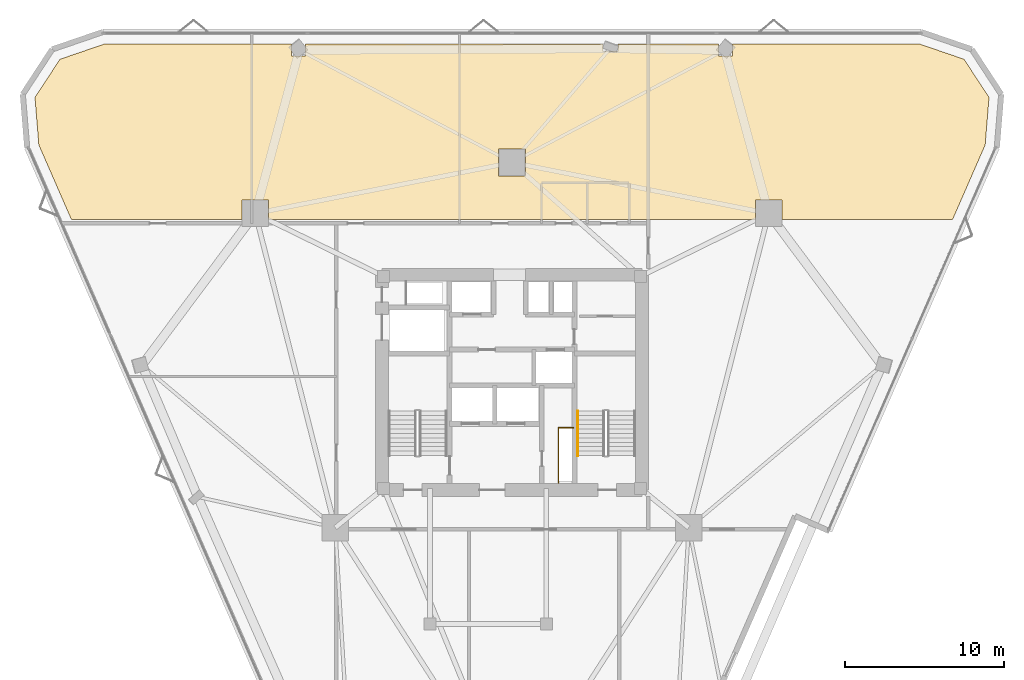
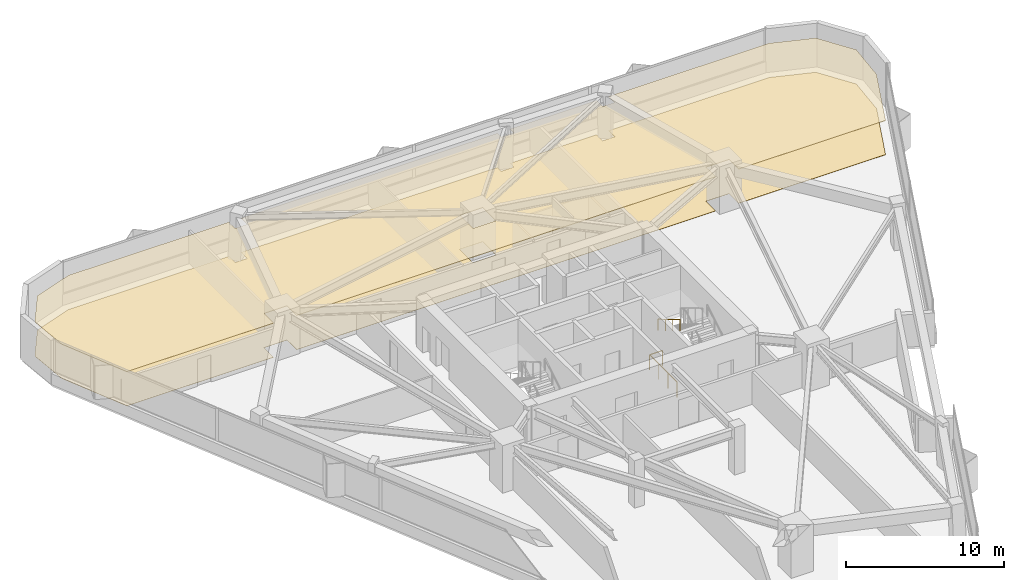
# One storey, part 14 of 15: 2 coverings, 2 railings.
"""IFC4 building model written with IfcOpenShell, lengths in metres."""

import ifcopenshell
import ifcopenshell.guid

model = None  # the IFC model being written
_history = None  # IfcOwnerHistory: only IFC2X3 demands one
_inside = {}  # id of a spatial element -> (the spatial element, [elements in it])
_under = {}  # id of a project, library or spatial element -> (it, [spatial elements below it])
_declared = {}  # id of a project -> (the project, [libraries it declares])
_typed = {}  # id of a type object -> (the type object, [elements of that type])
_made_of = {}  # id of a material, layer set ... -> (it, [elements and type objects made of it])


def new_model(schema):
    """Start an empty IFC model of exactly this schema.

    Asked for "IFC4X3", IfcOpenShell would pick the latest addendum, in which some entities
    have other attributes; the version numbers below select the first issue.
    IFC2X3 requires an IfcOwnerHistory on every rooted entity: one is made here for all.
    """
    global model, _history
    if schema == "IFC4X3":
        model = ifcopenshell.file(schema_version=(4, 3, 0, 0))
    else:
        model = ifcopenshell.file(schema=schema)
    _inside.clear()
    _under.clear()
    _declared.clear()
    _typed.clear()
    _made_of.clear()
    _history = None
    if model.schema == "IFC2X3":
        org = make("IfcOrganization", Name="unknown")
        user = make(
            "IfcPersonAndOrganization",
            ThePerson=make("IfcPerson", FamilyName="unknown"),
            TheOrganization=org,
        )
        app = make(
            "IfcApplication",
            ApplicationDeveloper=org,
            Version="unknown",
            ApplicationFullName="unknown",
            ApplicationIdentifier="unknown",
        )
        _history = make(
            "IfcOwnerHistory",
            OwningUser=user,
            OwningApplication=app,
            ChangeAction="ADDED",
            CreationDate=0,
        )
    return model


def make(cls, **values):
    """One entity of the class cls with the attributes given. An attribute that is None is left unset."""
    return model.create_entity(
        cls, **{name: value for name, value in values.items() if value is not None}
    )


def rooted(cls, **values):
    """An entity with a GlobalId (a new one), such as an element, a storey or a relation."""
    return make(cls, GlobalId=ifcopenshell.guid.new(), OwnerHistory=_history, **values)


def si_unit(unit_type, name, prefix=None):
    """IfcSIUnit, for example si_unit("LENGTHUNIT", "METRE", prefix="MILLI")."""
    return make("IfcSIUnit", UnitType=unit_type, Prefix=prefix, Name=name)


def assignment(units):
    """IfcUnitAssignment: the units of a project."""
    return None if units is None else make("IfcUnitAssignment", Units=units)


def point(xyz):
    """IfcCartesianPoint."""
    return None if xyz is None else make("IfcCartesianPoint", Coordinates=xyz)


def direction(xyz):
    """IfcDirection."""
    return None if xyz is None else make("IfcDirection", DirectionRatios=xyz)


def frame(location, z_axis=None, x_axis=None):
    """IfcAxis2Placement3D, a coordinate frame: its origin and axes. An axis left out is left unset."""
    return make(
        "IfcAxis2Placement3D",
        Location=point(location),
        Axis=direction(z_axis),
        RefDirection=direction(x_axis),
    )


def frame_2d(location, x_axis=None):
    """IfcAxis2Placement2D, a coordinate frame in the plane: its origin and x axis."""
    return make(
        "IfcAxis2Placement2D", Location=point(location), RefDirection=direction(x_axis)
    )


def origin():
    """The frame at (0, 0, 0) with its axes left unset."""
    return frame((0.0, 0.0, 0.0))


def origin_2d():
    """The frame at (0, 0) in the plane with its x axis left unset."""
    return frame_2d((0.0, 0.0))


def place(relative_to, where):
    """IfcLocalPlacement: puts the frame where relative to a parent placement (None: the world)."""
    return make(
        "IfcLocalPlacement", PlacementRelTo=relative_to, RelativePlacement=where
    )


def context(
    kind, dimensions, precision=None, world=None, true_north=None, identifier=None
):
    """IfcGeometricRepresentationContext, for example the 3D "Model" context."""
    return make(
        "IfcGeometricRepresentationContext",
        ContextIdentifier=identifier,
        ContextType=kind,
        CoordinateSpaceDimension=dimensions,
        Precision=precision,
        WorldCoordinateSystem=world,
        TrueNorth=true_north,
    )


def subcontext(parent, identifier, kind, view, scale=None):
    """IfcGeometricRepresentationSubContext, for example "Body" below "Model"."""
    return make(
        "IfcGeometricRepresentationSubContext",
        ContextIdentifier=identifier,
        ContextType=kind,
        ParentContext=parent,
        TargetScale=scale,
        TargetView=view,
    )


def project(units=None, contexts=None):
    """IfcProject with its units and contexts."""
    return rooted(
        "IfcProject",
        Name="project",
        RepresentationContexts=contexts,
        UnitsInContext=assignment(units),
    )


def spatial(cls, under=None, at=None, **own):
    """A site, building, storey or space (cls), placed at a placement, below another one or the project."""
    s = rooted(cls, ObjectPlacement=at, **own)
    if under is not None:
        _under.setdefault(under.id(), (under, []))[1].append(s)
    return s


def polyline(points):
    """IfcPolyline through the points."""
    return make("IfcPolyline", Points=[point(p) for p in points])


def profile(cls, at=None, kind="AREA", **sizes):
    """A parametric profile (cls). Its sizes go by their IFC names, for example OverallWidth=200.0."""
    return make(cls, ProfileType=kind, Position=at, **sizes)


def rectangle(**sizes):
    """IfcRectangleProfileDef."""
    return profile("IfcRectangleProfileDef", **sizes)


def outline(outer, holes=None, kind="AREA"):
    """IfcArbitraryClosedProfileDef: a profile drawn as a closed curve; with holes, ...WithVoids."""
    if holes is None:
        return make("IfcArbitraryClosedProfileDef", ProfileType=kind, OuterCurve=outer)
    return make(
        "IfcArbitraryProfileDefWithVoids",
        ProfileType=kind,
        OuterCurve=outer,
        InnerCurves=holes,
    )


def extrude(swept, where, along, depth):
    """IfcExtrudedAreaSolid: the profile swept, set in the frame where, extruded along a direction by depth."""
    return make(
        "IfcExtrudedAreaSolid",
        SweptArea=swept,
        Position=where,
        ExtrudedDirection=direction(along),
        Depth=depth,
    )


def shape(context_of_items, identifier, shape_type, items):
    """IfcShapeRepresentation: the items that make up one representation, for example the "Body"."""
    return make(
        "IfcShapeRepresentation",
        ContextOfItems=context_of_items,
        RepresentationIdentifier=identifier,
        RepresentationType=shape_type,
        Items=items,
    )


def material(Name=None, Category=None):
    """IfcMaterial."""
    return make("IfcMaterial", Name=Name, Category=Category)


def layer(
    of_material, thickness, ventilated=None, Name=None, Category=None, Priority=None
):
    """IfcMaterialLayer: one layer of a wall or slab, of a material (None: an air gap)."""
    return make(
        "IfcMaterialLayer",
        Material=of_material,
        LayerThickness=thickness,
        IsVentilated=ventilated,
        Name=Name,
        Category=Category,
        Priority=Priority,
    )


def layer_set(layers, Name=None):
    """IfcMaterialLayerSet."""
    return make("IfcMaterialLayerSet", MaterialLayers=layers, LayerSetName=Name)


def made_of(thing, what):
    """Note that an element or type object is made of a material, layer set ...; save() writes the relation."""
    if what is not None:
        _made_of.setdefault(what.id(), (what, []))[1].append(thing)
    return thing


def type_object(cls, material=None, **own):
    """A type object (cls), such as IfcWallType, which elements share."""
    return made_of(rooted(cls, **own), material)


def element(
    cls,
    number,
    at=None,
    inside=None,
    cuts=None,
    type_object=None,
    material=None,
    context=None,
    identifier="Body",
    shape_type=None,
    held_by="IfcProductDefinitionShape",
    body=None,
    shapes=None,
    **own,
):
    """One element of the class cls, such as IfcWall. Its Tag is "e" and its number.

    at: its placement. inside: the storey or other place that contains it. cuts: it is an
    opening in that element (IfcRelVoidsElement). A single representation is given by context,
    identifier, shape_type and body (its items); several are given by shapes. held_by: the class
    of the entity that holds the representations. save() writes the other relations.
    """
    e = rooted(cls, Tag="e%d" % number, ObjectPlacement=at, **own)
    if body is not None:
        shapes = [shape(context, identifier, shape_type, body)]
    if shapes is not None:
        e.Representation = make(held_by, Representations=shapes)
    if inside is not None:
        _inside.setdefault(inside.id(), (inside, []))[1].append(e)
    if cuts is not None:
        rooted(
            "IfcRelVoidsElement", RelatingBuildingElement=cuts, RelatedOpeningElement=e
        )
    if type_object is not None:
        _typed.setdefault(type_object.id(), (type_object, []))[1].append(e)
    return made_of(e, material)


def aggregate(whole, parts):
    """IfcRelAggregates: a whole, such as a stair, and the parts it consists of."""
    return rooted("IfcRelAggregates", RelatingObject=whole, RelatedObjects=parts)


def save(model, path):
    """Write the relations noted so far, then the file.

    IfcRelAggregates (storeys below a building ...), IfcRelContainedInSpatialStructure (elements
    in a storey), IfcRelDefinesByType, IfcRelAssociatesMaterial and IfcRelDeclares: one each for
    every whole, place, type object, material and project.
    """
    for whole, parts in _under.values():
        aggregate(whole, parts)
    for where, things in _inside.values():
        rooted(
            "IfcRelContainedInSpatialStructure",
            RelatedElements=things,
            RelatingStructure=where,
        )
    for kind, things in _typed.values():
        rooted("IfcRelDefinesByType", RelatedObjects=things, RelatingType=kind)
    for what, things in _made_of.values():
        rooted("IfcRelAssociatesMaterial", RelatedObjects=things, RelatingMaterial=what)
    for by, libraries in _declared.values():
        rooted("IfcRelDeclares", RelatingContext=by, RelatedDefinitions=libraries)
    model.write(path)


model = new_model("IFC4")

# Units and contexts
model_context = context("Model", 3, precision=1e-05, world=origin(), true_north=direction((0.0, 1.0)))
body_context = subcontext(model_context, "Body", "Model", "MODEL_VIEW")
ifc_project = project(units=[si_unit("LENGTHUNIT", "METRE"), si_unit("AREAUNIT", "SQUARE_METRE"), si_unit("VOLUMEUNIT", "CUBIC_METRE"), si_unit("PLANEANGLEUNIT", "RADIAN"), si_unit("MASSUNIT", "GRAM", prefix="KILO")], contexts=[model_context])

# Site, building, storey
site_placement = place(None, origin())
site = spatial("IfcSite", under=ifc_project, at=site_placement, CompositionType="ELEMENT")
building_placement = place(site_placement, origin())
building = spatial("IfcBuilding", under=site, at=building_placement, Name="Talyreon Biosciences Tower", CompositionType="ELEMENT")
storey_placement = place(building_placement, frame((0.0, 0.0, 100.550048828125)))
storey = spatial("IfcBuildingStorey", under=building, at=storey_placement, Name="L26", CompositionType="ELEMENT", Elevation=100.550048828125)

# Coverings
ifc_material_1 = material(Name="Cleanable acoustic mineral-fibre ceiling tile", Category="gypsum")
ifc_layer_1 = layer(ifc_material_1, 0.0400390625)
ifc_layer_set_1 = layer_set([ifc_layer_1], Name="Cleanable acoustic mineral-fibre ceiling tile")
covering_type_1 = type_object("IfcCoveringType", Name="AcousticCleanroomCeiling_40", PredefinedType="CEILING", material=ifc_layer_set_1)
covering_1_placement = place(storey_placement, frame((0.0, 0.0, 2.614990234375)))
element("IfcCovering", 1, at=covering_1_placement, inside=storey, type_object=covering_type_1, Name="L26 Acoustic Laboratory Ceiling", PredefinedType="CEILING", context=body_context, shape_type="SweptSolid", body=[
    extrude(outline(polyline([(37.640869140625, 88.265869140625), (40.47119140625, 89.236572265625), (52.1708984375, 89.236572265625), (52.1708984375, 88.457763671875), (53.051025390625, 88.457763671875), (53.051025390625, 89.236572265625), (71.714599609375, 89.236572265625), (71.714599609375, 88.7578125), (72.64453125, 88.7578125), (72.64453125, 89.236572265625), (78.948974609375, 89.236572265625), (78.948974609375, 88.457763671875), (79.8291015625, 88.457763671875), (79.8291015625, 89.236572265625), (91.52880859375, 89.236572265625), (94.359130859375, 88.265869140625), (95.925048828125, 85.87255859375), (95.681396484375, 82.890380859375), (93.640869140625, 78.219970703125), (82.9423828125, 78.219970703125), (82.9423828125, 79.438720703125), (81.262451171875, 79.438720703125), (81.262451171875, 78.219970703125), (50.737548828125, 78.219970703125), (50.737548828125, 79.438720703125), (49.0576171875, 79.438720703125), (49.0576171875, 78.219970703125), (38.359130859375, 78.219970703125), (36.318603515625, 82.890380859375), (36.074951171875, 85.87255859375), (37.640869140625, 88.265869140625)]), holes=[polyline([(65.159912109375, 80.948974609375), (66.840087890625, 80.948974609375), (66.840087890625, 82.62890625), (65.159912109375, 82.62890625), (65.159912109375, 80.948974609375)])]), origin(), (0.0, 0.0, 1.0), 0.0400390625),
])
ifc_material_2 = material(Name="Chemical-resistant seamless epoxy resin flooring", Category="plastic")
ifc_layer_2 = layer(ifc_material_2, 0.014892578125)
ifc_layer_set_2 = layer_set([ifc_layer_2], Name="Chemical-resistant seamless epoxy resin flooring")
covering_type_2 = type_object("IfcCoveringType", Name="SeamlessEpoxyLabFlooring_15", PredefinedType="FLOORING", material=ifc_layer_set_2)
covering_2_placement = place(storey_placement, origin())
element("IfcCovering", 2, at=covering_2_placement, inside=storey, type_object=covering_type_2, Name="L26 Laboratory Floor Finish", PredefinedType="FLOORING", context=body_context, shape_type="SweptSolid", body=[
    extrude(outline(polyline([(37.640869140625, 88.265869140625), (40.47119140625, 89.236572265625), (52.1708984375, 89.236572265625), (52.1708984375, 88.457763671875), (53.051025390625, 88.457763671875), (53.051025390625, 89.236572265625), (71.714599609375, 89.236572265625), (71.714599609375, 88.7578125), (72.64453125, 88.7578125), (72.64453125, 89.236572265625), (78.948974609375, 89.236572265625), (78.948974609375, 88.457763671875), (79.8291015625, 88.457763671875), (79.8291015625, 89.236572265625), (91.52880859375, 89.236572265625), (94.359130859375, 88.265869140625), (95.925048828125, 85.87255859375), (95.681396484375, 82.890380859375), (93.640869140625, 78.219970703125), (82.9423828125, 78.219970703125), (82.9423828125, 79.438720703125), (81.262451171875, 79.438720703125), (81.262451171875, 78.219970703125), (50.737548828125, 78.219970703125), (50.737548828125, 79.438720703125), (49.0576171875, 79.438720703125), (49.0576171875, 78.219970703125), (38.359130859375, 78.219970703125), (36.318603515625, 82.890380859375), (36.074951171875, 85.87255859375), (37.640869140625, 88.265869140625)]), holes=[polyline([(65.159912109375, 80.948974609375), (66.840087890625, 80.948974609375), (66.840087890625, 82.62890625), (65.159912109375, 82.62890625), (65.159912109375, 80.948974609375)])]), origin(), (0.0, 0.0, 1.0), 0.014892578125),
])

# Railings
ifc_material_3 = material(Name="Brushed stainless-steel tubular handrail", Category="steel")
railing_type_1 = type_object("IfcRailingType", Name="StairWallHandrail_900", PredefinedType="HANDRAIL", material=ifc_material_3)
railing_1_placement = place(storey_placement, frame((70.1201171875, 66.199951171875, 1.990966796875)))
element("IfcRailing", 3, at=railing_1_placement, inside=storey, type_object=railing_type_1, Name="L26 ST-2 stair handrail 2", PredefinedType="HANDRAIL", context=body_context, shape_type="SweptSolid", body=[
    extrude(rectangle(XDim=0.048095703125, YDim=0.048095703125, at=origin_2d()), frame((0.0, 0.0, 0.8759765625), z_axis=(0.0, -0.860339051648, 0.50972219513), x_axis=(1.0, 0.0, 0.0)), (0.0, 0.0, 1.0), 3.254638671875),
    extrude(rectangle(XDim=0.0419921875, YDim=0.0419921875, at=origin_2d()), origin(), (0.0, 0.0, 1.0), 0.851806640625),
    extrude(rectangle(XDim=0.0419921875, YDim=0.0419921875, at=origin_2d()), frame((0.0, -0.933349609375, 0.552978515625)), (0.0, 0.0, 1.0), 0.851806640625),
    extrude(rectangle(XDim=0.0419921875, YDim=0.0419921875, at=origin_2d()), frame((0.0, -1.86669921875, 1.10595703125)), (0.0, 0.0, 1.0), 0.851806640625),
    extrude(rectangle(XDim=0.0419921875, YDim=0.0419921875, at=origin_2d()), frame((0.0, -2.800048828125, 1.658935546875)), (0.0, 0.0, 1.0), 0.851806640625),
])
ifc_material_4 = material(Name="Painted galvanised steel post-and-rail balustrade", Category="steel")
railing_type_2 = type_object("IfcRailingType", Name="TerraceStairGuard_1200", PredefinedType="GUARDRAIL", material=ifc_material_4)
railing_2_placement = place(storey_placement, frame((68.909912109375, 61.699951171875, 0.0)))
element("IfcRailing", 4, at=railing_2_placement, inside=storey, type_object=railing_type_2, Name="L26 Electrical Riser Maintenance Guardrail", PredefinedType="GUARDRAIL", context=body_context, shape_type="SweptSolid", body=[
    extrude(rectangle(XDim=0.048095703125, YDim=0.048095703125, at=origin_2d()), frame((0.0, 0.0, 1.17578125), z_axis=(0.0, 1.0, 0.0), x_axis=(-1.0, 0.0, 0.0)), (0.0, 0.0, 1.0), 3.4599609375),
    extrude(rectangle(XDim=0.048095703125, YDim=0.048095703125, at=origin_2d()), frame((0.0, 3.4599609375, 1.17578125), z_axis=(1.0, 0.0, 0.0), x_axis=(0.0, 1.0, 0.0)), (0.0, 0.0, 1.0), 0.9501953125),
    extrude(rectangle(XDim=0.0419921875, YDim=0.0419921875, at=origin_2d()), origin(), (0.0, 0.0, 1.0), 1.15185546875),
    extrude(rectangle(XDim=0.0419921875, YDim=0.0419921875, at=origin_2d()), frame((0.0, 1.1533203125, 0.0)), (0.0, 0.0, 1.0), 1.15185546875),
    extrude(rectangle(XDim=0.0419921875, YDim=0.0419921875, at=origin_2d()), frame((0.0, 2.306640625, 0.0)), (0.0, 0.0, 1.0), 1.15185546875),
    extrude(rectangle(XDim=0.0419921875, YDim=0.0419921875, at=origin_2d()), frame((0.0, 3.4599609375, 0.0)), (0.0, 0.0, 1.0), 1.15185546875),
    extrude(rectangle(XDim=0.0419921875, YDim=0.0419921875, at=origin_2d()), frame((0.9501953125, 3.4599609375, 0.0)), (0.0, 0.0, 1.0), 1.15185546875),
])

save(model, "model.ifc")
